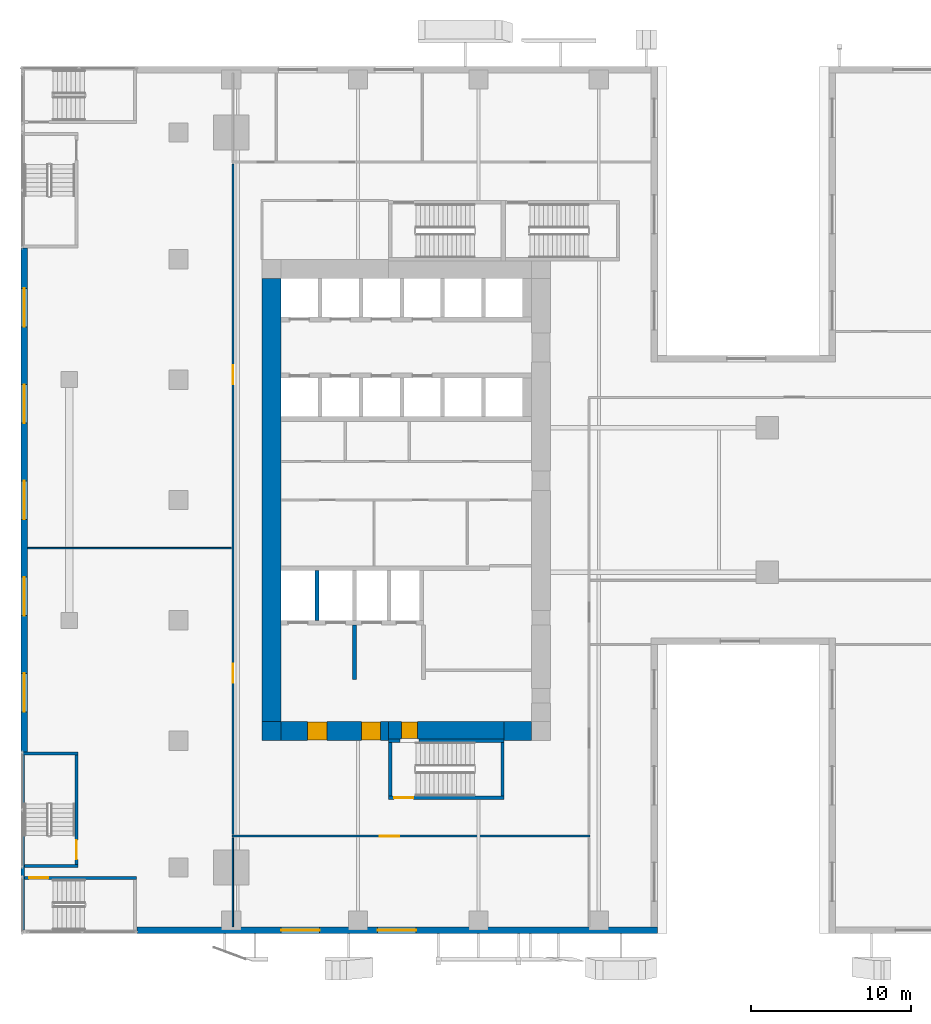
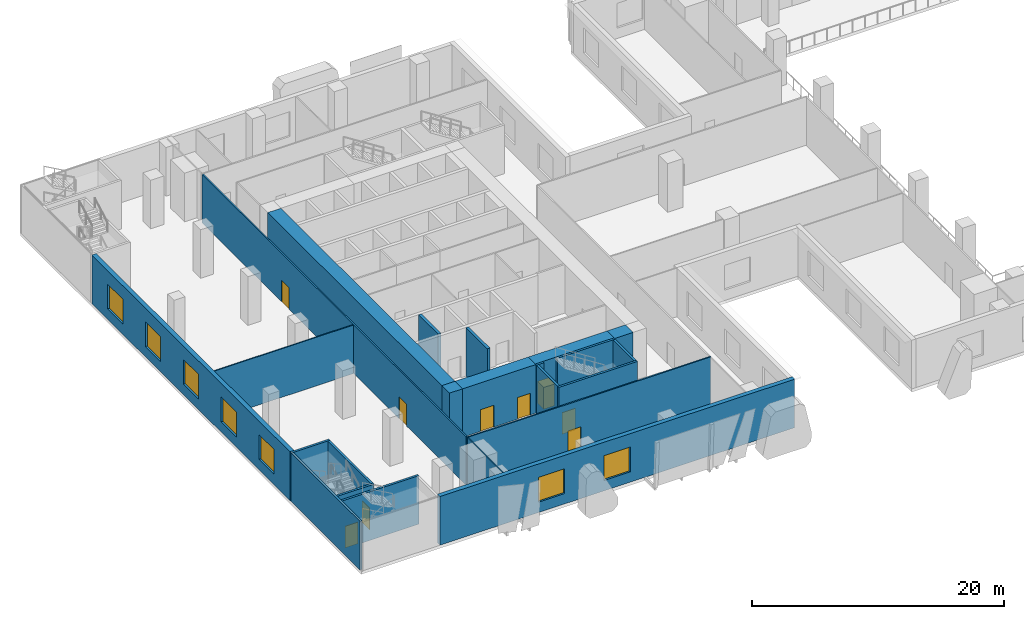
# One storey, part 10 of 23: 23 walls, 9 doors, 7 windows, 16 openings.
"""IFC4 building model written with IfcOpenShell, lengths in metres."""

from ifc_helpers import new_model, si_unit, direction, frame, frame_2d, origin, place, context, subcontext, project, spatial, rectangle, extrude, source, transform, mapped, material, layer, layer_set, type_object, element, fill, save


model = new_model("IFC4")

# Units and contexts
model_context = context("Model", 3, precision=1e-05, world=origin(), true_north=direction((0.0, 1.0)))
body_context = subcontext(model_context, "Body", "Model", "MODEL_VIEW")
ifc_project = project(units=[si_unit("LENGTHUNIT", "METRE"), si_unit("AREAUNIT", "SQUARE_METRE"), si_unit("VOLUMEUNIT", "CUBIC_METRE"), si_unit("PLANEANGLEUNIT", "RADIAN"), si_unit("MASSUNIT", "GRAM", prefix="KILO")], contexts=[model_context])

# Site, building, storey
site_placement = place(None, origin())
site = spatial("IfcSite", under=ifc_project, at=site_placement, CompositionType="ELEMENT")
building_placement = place(site_placement, origin())
building = spatial("IfcBuilding", under=site, at=building_placement, Name="Khomas Fold Tower", CompositionType="ELEMENT")
storey_placement = place(building_placement, frame((0.0, 0.0, 18.5)))
storey = spatial("IfcBuildingStorey", under=building, at=storey_placement, Name="L03", CompositionType="ELEMENT", Elevation=18.5)

# Wall, openings, doors
ifc_material_1 = material(Name="Concrete C70/85", Category="concrete")
ifc_layer_1 = layer(ifc_material_1, 1.199951171875)
ifc_layer_set_1 = layer_set([ifc_layer_1], Name="Concrete C70/85")
wall_type_1 = type_object("IfcWallType", Name="Core wall 1200", PredefinedType="SHEAR", material=ifc_layer_set_1)
shared_shape_1 = source(origin(), body_context, "Body", "SweptSolid", [
    extrude(rectangle(XDim=6.699951171875, YDim=1.199951171875, at=frame_2d((3.35009765625, 0.0))), origin(), (0.0, 0.0, 1.0), 4.699951171875),
])
wall_1_placement = place(storey_placement, frame((7.199951171875, 12.60009765625, 0.0), z_axis=(0.0, 0.0, 1.0), x_axis=(1.0, 0.0, 0.0)))
wall_1 = element("IfcWall", 1, at=wall_1_placement, inside=storey, type_object=wall_type_1, Name="Core wall CW-L-S-B2", PredefinedType="SHEAR", context=body_context, shape_type="MappedRepresentation", body=[
    mapped(shared_shape_1, transform((0.0, 0.0, 0.0))),
])
shared_shape_2 = source(origin(), body_context, "Body", "SweptSolid", [
    extrude(rectangle(XDim=1.199951171875, YDim=2.10009765625, at=frame_2d((0.60009765625, 1.050048828125))), frame((0.0, 0.60986328125, 0.0), z_axis=(0.0, -1.0, 0.0), x_axis=(1.0, 0.0, 0.0)), (0.0, 0.0, 1.0), 1.219970703125),
])
opening_1_placement = place(wall_1_placement, frame((5.0, 0.0, 0.0)))
opening_1 = element("IfcOpeningElement", 2, at=opening_1_placement, cuts=wall_1, Name="Opening 0009", PredefinedType="OPENING", context=body_context, shape_type="MappedRepresentation", body=[
    mapped(shared_shape_2, transform((0.0, 0.0, 0.0))),
])
opening_2_placement = place(wall_1_placement, frame((1.64990234375, 0.0, 0.0)))
opening_2 = element("IfcOpeningElement", 3, at=opening_2_placement, cuts=wall_1, Name="Opening 0009", PredefinedType="OPENING", context=body_context, shape_type="MappedRepresentation", body=[
    mapped(shared_shape_2, transform((0.0, 0.0, 0.0))),
])
ifc_material_2 = material(Name="Steel door leaf", Category="steel")
door_type_1 = type_object("IfcDoorType", Name="Lobby door 1200x2100 right-hand", OperationType="SINGLE_SWING_RIGHT", PredefinedType="DOOR", material=ifc_material_2)
shared_shape_3 = source(origin(), body_context, "Body", "SweptSolid", [
    extrude(rectangle(XDim=1.199951171875, YDim=2.10009765625, at=frame_2d((0.60009765625, 1.050048828125))), frame((0.0, 0.5498046875, 0.0), z_axis=(0.0, -1.0, 0.0), x_axis=(1.0, 0.0, 0.0)), (0.0, 0.0, 1.0), 1.099853515625),
])
door_1_placement = place(opening_1_placement, origin())
door_1 = element("IfcDoor", 4, at=door_1_placement, inside=storey, type_object=door_type_1, Name="Lobby door", OperationType="SINGLE_SWING_RIGHT", OverallHeight=2.10009765625, OverallWidth=1.199951171875, PredefinedType="DOOR", context=body_context, shape_type="MappedRepresentation", body=[
    mapped(shared_shape_3, transform((0.0, 0.0, 0.0))),
])
fill(opening_1, door_1)
door_2_placement = place(opening_2_placement, origin())
door_2 = element("IfcDoor", 5, at=door_2_placement, inside=storey, type_object=door_type_1, Name="Lobby door", OperationType="SINGLE_SWING_RIGHT", OverallHeight=2.10009765625, OverallWidth=1.199951171875, PredefinedType="DOOR", context=body_context, shape_type="MappedRepresentation", body=[
    mapped(shared_shape_3, transform((0.0, 0.0, 0.0))),
])
fill(opening_2, door_2)

# Wall
ifc_material_3 = material(Name="Concrete C70/85", Category="concrete")
ifc_layer_2 = layer(ifc_material_3, 1.199951171875)
ifc_layer_set_2 = layer_set([ifc_layer_2], Name="Concrete C70/85")
wall_type_2 = type_object("IfcWallType", Name="Core corner wall 1200", PredefinedType="SHEAR", material=ifc_layer_set_2)
shared_shape_4 = source(origin(), body_context, "Body", "SweptSolid", [
    extrude(rectangle(XDim=1.199951171875, YDim=1.199951171875, at=frame_2d((0.60009765625, 0.0))), origin(), (0.0, 0.0, 1.0), 4.699951171875),
])
wall_2_placement = place(storey_placement, frame((6.0, 12.60009765625, 0.0), z_axis=(0.0, 0.0, 1.0), x_axis=(1.0, 0.0, 0.0)))
element("IfcWall", 6, at=wall_2_placement, inside=storey, type_object=wall_type_2, Name="Core wall CW-L-SW-B2", PredefinedType="SHEAR", context=body_context, shape_type="MappedRepresentation", body=[
    mapped(shared_shape_4, transform((0.0, 0.0, 0.0))),
])

# Wall, opening, door
ifc_material_4 = material(Name="Concrete C70/85", Category="concrete")
ifc_layer_3 = layer(ifc_material_4, 1.10009765625)
ifc_layer_set_3 = layer_set([ifc_layer_3], Name="Concrete C70/85")
wall_type_3 = type_object("IfcWallType", Name="Core wall 1100", PredefinedType="SHEAR", material=ifc_layer_set_3)
shared_shape_5 = source(origin(), body_context, "Body", "SweptSolid", [
    extrude(rectangle(XDim=7.2001953125, YDim=1.10009765625, at=frame_2d((3.60009765625, 0.0))), origin(), (0.0, 0.0, 1.0), 4.699951171875),
])
wall_3_placement = place(storey_placement, frame((13.89990234375, 12.64990234375, 0.0), z_axis=(0.0, 0.0, 1.0), x_axis=(1.0, 0.0, 0.0)))
wall_3 = element("IfcWall", 7, at=wall_3_placement, inside=storey, type_object=wall_type_3, Name="Core wall CW-L-S-B2-1", PredefinedType="SHEAR", context=body_context, shape_type="MappedRepresentation", body=[
    mapped(shared_shape_5, transform((0.0, 0.0, 0.0))),
])
shared_shape_6 = source(origin(), body_context, "Body", "SweptSolid", [
    extrude(rectangle(XDim=1.0, YDim=2.10009765625, at=frame_2d((0.5, 1.050048828125))), frame((0.0, 0.56005859375, 0.0), z_axis=(0.0, -1.0, 0.0), x_axis=(1.0, 0.0, 0.0)), (0.0, 0.0, 1.0), 1.1201171875),
])
opening_3_placement = place(wall_3_placement, frame((0.800048828125, 0.0, 0.0)))
opening_3 = element("IfcOpeningElement", 8, at=opening_3_placement, cuts=wall_3, Name="Opening 0010", PredefinedType="OPENING", context=body_context, shape_type="MappedRepresentation", body=[
    mapped(shared_shape_6, transform((0.0, 0.0, 0.0))),
])
ifc_material_5 = material(Name="Steel door leaf", Category="steel")
door_type_2 = type_object("IfcDoorType", Name="Stair door 1000x2100 right-hand", OperationType="SINGLE_SWING_RIGHT", PredefinedType="DOOR", material=ifc_material_5)
shared_shape_7 = source(origin(), body_context, "Body", "SweptSolid", [
    extrude(rectangle(XDim=1.0, YDim=2.10009765625, at=frame_2d((0.5, 1.050048828125))), frame((0.0, 0.5, 0.0), z_axis=(0.0, -1.0, 0.0), x_axis=(1.0, 0.0, 0.0)), (0.0, 0.0, 1.0), 1.0),
])
door_3_placement = place(opening_3_placement, origin())
door_3 = element("IfcDoor", 9, at=door_3_placement, inside=storey, type_object=door_type_2, Name="Stair door", OperationType="SINGLE_SWING_RIGHT", OverallHeight=2.10009765625, OverallWidth=1.0, PredefinedType="DOOR", context=body_context, shape_type="MappedRepresentation", body=[
    mapped(shared_shape_7, transform((0.0, 0.0, 0.0))),
])
fill(opening_3, door_3)

# Walls
shared_shape_8 = source(origin(), body_context, "Body", "SweptSolid", [
    extrude(rectangle(XDim=1.699951171875, YDim=1.199951171875, at=frame_2d((0.85009765625, 0.0))), origin(), (0.0, 0.0, 1.0), 4.699951171875),
])
wall_4_placement = place(storey_placement, frame((21.10009765625, 12.60009765625, 0.0), z_axis=(0.0, 0.0, 1.0), x_axis=(1.0, 0.0, 0.0)))
element("IfcWall", 10, at=wall_4_placement, inside=storey, type_object=wall_type_1, Name="Core wall CW-L-S-B2-2", PredefinedType="SHEAR", context=body_context, shape_type="MappedRepresentation", body=[
    mapped(shared_shape_8, transform((0.0, 0.0, 0.0))),
])
shared_shape_9 = source(origin(), body_context, "Body", "SweptSolid", [
    extrude(rectangle(XDim=27.60009765625, YDim=1.199951171875, at=frame_2d((13.800048828125, 0.0))), origin(), (0.0, 0.0, 1.0), 4.699951171875),
])
wall_5_placement = place(storey_placement, frame((6.60009765625, 13.199951171875, 0.0), z_axis=(0.0, 0.0, 1.0), x_axis=(0.0, 1.0, 0.0)))
element("IfcWall", 11, at=wall_5_placement, inside=storey, type_object=wall_type_1, Name="Core wall CW-L-W-B2", PredefinedType="SHEAR", context=body_context, shape_type="MappedRepresentation", body=[
    mapped(shared_shape_9, transform((0.0, 0.0, 0.0))),
])

# Wall, opening, door
ifc_material_6 = material(Name="Concrete C30/37", Category="concrete")
ifc_layer_4 = layer(ifc_material_6, 0.199951171875)
ifc_layer_set_4 = layer_set([ifc_layer_4], Name="Concrete C30/37")
wall_type_4 = type_object("IfcWallType", Name="Stair wall PW5 200", PredefinedType="PARTITIONING", material=ifc_layer_set_4)
shared_shape_10 = source(origin(), body_context, "Body", "SweptSolid", [
    extrude(rectangle(XDim=7.0, YDim=0.199951171875, at=frame_2d((3.5, 0.0))), origin(), (0.0, 0.0, 1.0), 4.699951171875),
])
wall_6_placement = place(storey_placement, frame((-8.800048828125, 3.449951171875, 0.0), z_axis=(0.0, 0.0, 1.0), x_axis=(1.0, 0.0, 0.0)))
wall_6 = element("IfcWall", 12, at=wall_6_placement, inside=storey, type_object=wall_type_4, Name="Stair wall", PredefinedType="PARTITIONING", context=body_context, shape_type="MappedRepresentation", body=[
    mapped(shared_shape_10, transform((0.0, 0.0, 0.0))),
])
shared_shape_11 = source(origin(), body_context, "Body", "SweptSolid", [
    extrude(rectangle(XDim=1.199951171875, YDim=2.10009765625, at=frame_2d((0.60009765625, 1.050048828125))), frame((0.0, 0.10986328125, 0.0), z_axis=(0.0, -1.0, 0.0), x_axis=(1.0, 0.0, 0.0)), (0.0, 0.0, 1.0), 0.219970703125),
])
opening_4_placement = place(wall_6_placement, frame((0.300048828125, 0.0, 0.0)))
opening_4 = element("IfcOpeningElement", 13, at=opening_4_placement, cuts=wall_6, Name="Opening 0017", PredefinedType="OPENING", context=body_context, shape_type="MappedRepresentation", body=[
    mapped(shared_shape_11, transform((0.0, 0.0, 0.0))),
])
ifc_material_7 = material(Name="Steel door leaf", Category="steel")
door_type_3 = type_object("IfcDoorType", Name="Stair door 1200x2100 left-hand", OperationType="SINGLE_SWING_LEFT", PredefinedType="DOOR", material=ifc_material_7)
shared_shape_12 = source(origin(), body_context, "Body", "SweptSolid", [
    extrude(rectangle(XDim=1.199951171875, YDim=2.10009765625, at=frame_2d((0.60009765625, 1.050048828125))), frame((0.0, 0.02490234375, 0.0), z_axis=(0.0, -1.0, 0.0), x_axis=(1.0, 0.0, 0.0)), (0.0, 0.0, 1.0), 0.050048828125),
])
door_4_placement = place(opening_4_placement, origin())
door_4 = element("IfcDoor", 14, at=door_4_placement, inside=storey, type_object=door_type_3, Name="Stair door", OperationType="SINGLE_SWING_LEFT", OverallHeight=2.10009765625, OverallWidth=1.199951171875, PredefinedType="DOOR", context=body_context, shape_type="MappedRepresentation", body=[
    mapped(shared_shape_12, transform((0.0, 0.0, 0.0))),
])
fill(opening_4, door_4)

# Walls
ifc_material_8 = material(Name="Concrete C50/60", Category="concrete")
ifc_layer_5 = layer(ifc_material_8, 0.199951171875)
ifc_layer_set_5 = layer_set([ifc_layer_5], Name="Concrete C50/60")
wall_type_5 = type_object("IfcWallType", Name="Stair wall 200", PredefinedType="SHEAR", material=ifc_layer_set_5)
shared_shape_13 = source(origin(), body_context, "Body", "SweptSolid", [
    extrude(rectangle(XDim=0.7001953125, YDim=0.199951171875, at=frame_2d((0.35009765625, 0.0))), origin(), (0.0, 0.0, 1.0), 4.699951171875),
])
wall_7_placement = place(storey_placement, frame((13.89990234375, 12.0, 0.0), z_axis=(0.0, 0.0, 1.0), x_axis=(1.0, 0.0, 0.0)))
element("IfcWall", 15, at=wall_7_placement, inside=storey, type_object=wall_type_5, Name="Stair wall SW-ST2-N", PredefinedType="SHEAR", context=body_context, shape_type="MappedRepresentation", body=[
    mapped(shared_shape_13, transform((0.0, 0.0, 0.0))),
])
shared_shape_14 = source(origin(), body_context, "Body", "SweptSolid", [
    extrude(rectangle(XDim=5.300048828125, YDim=0.199951171875, at=frame_2d((2.64990234375, 0.0))), origin(), (0.0, 0.0, 1.0), 4.699951171875),
])
wall_8_placement = place(storey_placement, frame((15.800048828125, 12.0, 0.0), z_axis=(0.0, 0.0, 1.0), x_axis=(1.0, 0.0, 0.0)))
element("IfcWall", 16, at=wall_8_placement, inside=storey, type_object=wall_type_5, Name="Stair wall SW-ST2-NB", PredefinedType="SHEAR", context=body_context, shape_type="MappedRepresentation", body=[
    mapped(shared_shape_14, transform((0.0, 0.0, 0.0))),
])

# Wall, opening, door
shared_shape_15 = source(origin(), body_context, "Body", "SweptSolid", [
    extrude(rectangle(XDim=7.2001953125, YDim=0.199951171875, at=frame_2d((3.60009765625, 0.0))), origin(), (0.0, 0.0, 1.0), 4.699951171875),
])
wall_9_placement = place(storey_placement, frame((13.89990234375, 8.449951171875, 0.0), z_axis=(0.0, 0.0, 1.0), x_axis=(1.0, 0.0, 0.0)))
wall_9 = element("IfcWall", 17, at=wall_9_placement, inside=storey, type_object=wall_type_5, Name="Stair wall SW-ST2-S", PredefinedType="SHEAR", context=body_context, shape_type="MappedRepresentation", body=[
    mapped(shared_shape_15, transform((0.0, 0.0, 0.0))),
])
opening_5_placement = place(wall_9_placement, frame((0.35009765625, 0.0, 0.0)))
opening_5 = element("IfcOpeningElement", 18, at=opening_5_placement, cuts=wall_9, Name="Opening SD-ST2", PredefinedType="OPENING", context=body_context, shape_type="MappedRepresentation", body=[
    mapped(shared_shape_11, transform((0.0, 0.0, 0.0))),
])
ifc_material_9 = material(Name="Steel door leaf", Category="steel")
door_type_4 = type_object("IfcDoorType", Name="Stair door 1200x2100 right-hand", OperationType="SINGLE_SWING_RIGHT", PredefinedType="DOOR", material=ifc_material_9)
door_5_placement = place(opening_5_placement, origin())
door_5 = element("IfcDoor", 19, at=door_5_placement, inside=storey, type_object=door_type_4, Name="Stair door", OperationType="SINGLE_SWING_RIGHT", OverallHeight=2.10009765625, OverallWidth=1.199951171875, PredefinedType="DOOR", context=body_context, shape_type="MappedRepresentation", body=[
    mapped(shared_shape_12, transform((0.0, 0.0, 0.0))),
])
fill(opening_5, door_5)

# Walls
shared_shape_16 = source(origin(), body_context, "Body", "SweptSolid", [
    extrude(rectangle(XDim=3.349853515625, YDim=0.199951171875, at=frame_2d((1.6748046875, 0.0))), origin(), (0.0, 0.0, 1.0), 4.699951171875),
])
for number, where, z_axis, x_axis, name in (
    (20, (21.0, 8.550048828125, 0.0), (0.0, 0.0, 1.0), (0.0, 1.0, 0.0), "Stair wall SW-ST2-E"),
    (21, (14.0, 8.550048828125, 0.0), (0.0, 0.0, 1.0), (0.0, 1.0, 0.0), "Stair wall SW-ST2-W"),
):
    element("IfcWall", number, at=place(storey_placement, frame(where, z_axis=z_axis, x_axis=x_axis)), inside=storey, type_object=wall_type_5, Name=name, PredefinedType="SHEAR", context=body_context, shape_type="MappedRepresentation", body=[
        mapped(shared_shape_16, transform((0.0, 0.0, 0.0))),
    ])
ifc_material_10 = material(Name="Concrete C50/60", Category="concrete")
ifc_layer_6 = layer(ifc_material_10, 0.25)
ifc_layer_set_6 = layer_set([ifc_layer_6], Name="Concrete C50/60")
wall_type_6 = type_object("IfcWallType", Name="Shaft wall 250", PredefinedType="STANDARD", material=ifc_layer_set_6)
shared_shape_17 = source(origin(), body_context, "Body", "SweptSolid", [
    extrude(rectangle(XDim=3.10009765625, YDim=0.25, at=frame_2d((1.550048828125, 0.0))), origin(), (0.0, 0.0, 1.0), 4.699951171875),
])
wall_10_placement = place(storey_placement, frame((9.425048828125, 19.5, 0.0), z_axis=(0.0, 0.0, 1.0), x_axis=(0.0, 1.0, 0.0)))
element("IfcWall", 22, at=wall_10_placement, inside=storey, type_object=wall_type_6, Name="Core wall SW-FS-P1", PredefinedType="STANDARD", context=body_context, shape_type="MappedRepresentation", body=[
    mapped(shared_shape_17, transform((0.0, 0.0, 0.0))),
])
ifc_material_11 = material(Name="Concrete C50/60", Category="concrete")
ifc_layer_7 = layer(ifc_material_11, 0.25)
ifc_layer_set_7 = layer_set([ifc_layer_7], Name="Concrete C50/60")
wall_type_7 = type_object("IfcWallType", Name="Lobby wall 250", PredefinedType="STANDARD", material=ifc_layer_set_7)
shared_shape_18 = source(origin(), body_context, "Body", "SweptSolid", [
    extrude(rectangle(XDim=3.39990234375, YDim=0.25, at=frame_2d((1.699951171875, 0.0))), origin(), (0.0, 0.0, 1.0), 4.699951171875),
])
wall_11_placement = place(storey_placement, frame((11.77490234375, 15.800048828125, 0.0), z_axis=(0.0, 0.0, 1.0), x_axis=(0.0, 1.0, 0.0)))
element("IfcWall", 23, at=wall_11_placement, inside=storey, type_object=wall_type_7, Name="Core wall SW-FS-SEP", PredefinedType="STANDARD", context=body_context, shape_type="MappedRepresentation", body=[
    mapped(shared_shape_18, transform((0.0, 0.0, 0.0))),
])

# Wall, openings, windows
ifc_material_12 = material(Name="Concrete C40/50", Category="concrete")
ifc_layer_8 = layer(ifc_material_12, 0.39990234375)
ifc_layer_set_8 = layer_set([ifc_layer_8], Name="Concrete C40/50")
wall_type_8 = type_object("IfcWallType", Name="Stone-clad concrete wall 400", PredefinedType="SOLIDWALL", material=ifc_layer_set_8)
shared_shape_19 = source(origin(), body_context, "Body", "SweptSolid", [
    extrude(rectangle(XDim=31.3798828125, YDim=0.39990234375, at=frame_2d((15.68994140625, 0.0))), origin(), (0.0, 0.0, 1.0), 4.699951171875),
])
wall_12_placement = place(storey_placement, frame((-8.800048828125, 42.68994140625, 0.0), z_axis=(0.0, 0.0, 1.0), x_axis=(0.0, -1.0, 0.0)))
wall_12 = element("IfcWall", 24, at=wall_12_placement, inside=storey, type_object=wall_type_8, Name="Podium wall", PredefinedType="SOLIDWALL", context=body_context, shape_type="MappedRepresentation", body=[
    mapped(shared_shape_19, transform((0.0, 0.0, 0.0))),
])
shared_shape_20 = source(origin(), body_context, "Body", "SweptSolid", [
    extrude(rectangle(XDim=2.39990234375, YDim=2.39990234375, at=frame_2d((1.199951171875, 1.199951171875))), frame((0.0, 0.2099609375, 0.0), z_axis=(0.0, -1.0, 0.0), x_axis=(1.0, 0.0, 0.0)), (0.0, 0.0, 1.0), 0.419921875),
])
opening_6_placement = place(wall_12_placement, frame((2.5, 0.0, 1.0)))
opening_6 = element("IfcOpeningElement", 25, at=opening_6_placement, cuts=wall_12, Name="Opening PD-WN", PredefinedType="OPENING", context=body_context, shape_type="MappedRepresentation", body=[
    mapped(shared_shape_20, transform((0.0, 0.0, 0.0))),
])
opening_7_placement = place(wall_12_placement, frame((8.5, 0.0, 1.0)))
opening_7 = element("IfcOpeningElement", 26, at=opening_7_placement, cuts=wall_12, Name="Opening PD-WN", PredefinedType="OPENING", context=body_context, shape_type="MappedRepresentation", body=[
    mapped(shared_shape_20, transform((0.0, 0.0, 0.0))),
])
opening_8_placement = place(wall_12_placement, frame((14.5, 0.0, 1.0)))
opening_8 = element("IfcOpeningElement", 27, at=opening_8_placement, cuts=wall_12, Name="Opening PD-WN", PredefinedType="OPENING", context=body_context, shape_type="MappedRepresentation", body=[
    mapped(shared_shape_20, transform((0.0, 0.0, 0.0))),
])
opening_9_placement = place(wall_12_placement, frame((20.5, 0.0, 1.0)))
opening_9 = element("IfcOpeningElement", 28, at=opening_9_placement, cuts=wall_12, Name="Opening PD-WN", PredefinedType="OPENING", context=body_context, shape_type="MappedRepresentation", body=[
    mapped(shared_shape_20, transform((0.0, 0.0, 0.0))),
])
opening_10_placement = place(wall_12_placement, frame((26.5, 0.0, 1.0)))
opening_10 = element("IfcOpeningElement", 29, at=opening_10_placement, cuts=wall_12, Name="Opening PD-WN", PredefinedType="OPENING", context=body_context, shape_type="MappedRepresentation", body=[
    mapped(shared_shape_20, transform((0.0, 0.0, 0.0))),
])
ifc_material_13 = material(Name="Aluminium framed double glazing", Category="aluminium")
window_type = type_object("IfcWindowType", Name="Podium window 2400 x 2400", PartitioningType="SINGLE_PANEL", PredefinedType="WINDOW", material=ifc_material_13)
shared_shape_21 = source(origin(), body_context, "Body", "SweptSolid", [
    extrude(rectangle(XDim=2.39990234375, YDim=2.39990234375, at=frame_2d((1.199951171875, 1.199951171875))), frame((0.0, 0.030029296875, 0.0), z_axis=(0.0, -1.0, 0.0), x_axis=(1.0, 0.0, 0.0)), (0.0, 0.0, 1.0), 0.06005859375),
])
window_1_placement = place(opening_6_placement, origin())
window_1 = element("IfcWindow", 30, at=window_1_placement, inside=storey, type_object=window_type, Name="Podium window", OverallHeight=2.39990234375, OverallWidth=2.39990234375, PartitioningType="SINGLE_PANEL", PredefinedType="WINDOW", context=body_context, shape_type="MappedRepresentation", body=[
    mapped(shared_shape_21, transform((0.0, 0.0, 0.0))),
])
fill(opening_6, window_1)
window_2_placement = place(opening_7_placement, origin())
window_2 = element("IfcWindow", 31, at=window_2_placement, inside=storey, type_object=window_type, Name="Podium window", OverallHeight=2.39990234375, OverallWidth=2.39990234375, PartitioningType="SINGLE_PANEL", PredefinedType="WINDOW", context=body_context, shape_type="MappedRepresentation", body=[
    mapped(shared_shape_21, transform((0.0, 0.0, 0.0))),
])
fill(opening_7, window_2)
window_3_placement = place(opening_8_placement, origin())
window_3 = element("IfcWindow", 32, at=window_3_placement, inside=storey, type_object=window_type, Name="Podium window", OverallHeight=2.39990234375, OverallWidth=2.39990234375, PartitioningType="SINGLE_PANEL", PredefinedType="WINDOW", context=body_context, shape_type="MappedRepresentation", body=[
    mapped(shared_shape_21, transform((0.0, 0.0, 0.0))),
])
fill(opening_8, window_3)
window_4_placement = place(opening_9_placement, origin())
window_4 = element("IfcWindow", 33, at=window_4_placement, inside=storey, type_object=window_type, Name="Podium window", OverallHeight=2.39990234375, OverallWidth=2.39990234375, PartitioningType="SINGLE_PANEL", PredefinedType="WINDOW", context=body_context, shape_type="MappedRepresentation", body=[
    mapped(shared_shape_21, transform((0.0, 0.0, 0.0))),
])
fill(opening_9, window_4)
window_5_placement = place(opening_10_placement, origin())
window_5 = element("IfcWindow", 34, at=window_5_placement, inside=storey, type_object=window_type, Name="Podium window", OverallHeight=2.39990234375, OverallWidth=2.39990234375, PartitioningType="SINGLE_PANEL", PredefinedType="WINDOW", context=body_context, shape_type="MappedRepresentation", body=[
    mapped(shared_shape_21, transform((0.0, 0.0, 0.0))),
])
fill(opening_10, window_5)

shared_shape_22 = source(origin(), body_context, "Body", "SweptSolid", [
    extrude(rectangle(XDim=32.43994140625, YDim=0.39990234375, at=frame_2d((16.219970703125, 0.0))), origin(), (0.0, 0.0, 1.0), 4.699951171875),
])
wall_13_placement = place(storey_placement, frame((-1.7900390625, 0.199951171875, 0.0), z_axis=(0.0, 0.0, 1.0), x_axis=(1.0, 0.0, 0.0)))
wall_13 = element("IfcWall", 35, at=wall_13_placement, inside=storey, type_object=wall_type_8, Name="Podium wall", PredefinedType="SOLIDWALL", context=body_context, shape_type="MappedRepresentation", body=[
    mapped(shared_shape_22, transform((0.0, 0.0, 0.0))),
])
opening_11_placement = place(wall_13_placement, frame((9.0, 0.0, 1.0)))
opening_11 = element("IfcOpeningElement", 36, at=opening_11_placement, cuts=wall_13, Name="Opening PD-WN", PredefinedType="OPENING", context=body_context, shape_type="MappedRepresentation", body=[
    mapped(shared_shape_20, transform((0.0, 0.0, 0.0))),
])
opening_12_placement = place(wall_13_placement, frame((15.0, 0.0, 1.0)))
opening_12 = element("IfcOpeningElement", 37, at=opening_12_placement, cuts=wall_13, Name="Opening PD-WN", PredefinedType="OPENING", context=body_context, shape_type="MappedRepresentation", body=[
    mapped(shared_shape_20, transform((0.0, 0.0, 0.0))),
])
window_6_placement = place(opening_11_placement, origin())
window_6 = element("IfcWindow", 38, at=window_6_placement, inside=storey, type_object=window_type, Name="Podium window", OverallHeight=2.39990234375, OverallWidth=2.39990234375, PartitioningType="SINGLE_PANEL", PredefinedType="WINDOW", context=body_context, shape_type="MappedRepresentation", body=[
    mapped(shared_shape_21, transform((0.0, 0.0, 0.0))),
])
fill(opening_11, window_6)
window_7_placement = place(opening_12_placement, origin())
window_7 = element("IfcWindow", 39, at=window_7_placement, inside=storey, type_object=window_type, Name="Podium window", OverallHeight=2.39990234375, OverallWidth=2.39990234375, PartitioningType="SINGLE_PANEL", PredefinedType="WINDOW", context=body_context, shape_type="MappedRepresentation", body=[
    mapped(shared_shape_21, transform((0.0, 0.0, 0.0))),
])
fill(opening_12, window_7)

# Walls
shared_shape_23 = source(origin(), body_context, "Body", "SweptSolid", [
    extrude(rectangle(XDim=10.900146484375, YDim=0.199951171875, at=frame_2d((5.4501953125, 0.0))), origin(), (0.0, 0.0, 1.0), 4.699951171875),
])
wall_14_placement = place(storey_placement, frame((-8.89990234375, 0.199951171875, 0.0), z_axis=(0.0, 0.0, 1.0), x_axis=(0.0, 1.0, 0.0)))
element("IfcWall", 40, at=wall_14_placement, inside=storey, type_object=wall_type_4, Name="Stair wall", PredefinedType="PARTITIONING", context=body_context, shape_type="MappedRepresentation", body=[
    mapped(shared_shape_23, transform((0.0, 0.0, 0.0))),
])
shared_shape_24 = source(origin(), body_context, "Body", "SweptSolid", [
    extrude(rectangle(XDim=3.35009765625, YDim=0.199951171875, at=frame_2d((1.675048828125, 0.0))), origin(), (0.0, 0.0, 1.0), 4.699951171875),
])
wall_15_placement = place(storey_placement, frame((-8.800048828125, 4.199951171875, 0.0), z_axis=(0.0, 0.0, 1.0), x_axis=(1.0, 0.0, 0.0)))
element("IfcWall", 41, at=wall_15_placement, inside=storey, type_object=wall_type_4, Name="Stair wall", PredefinedType="PARTITIONING", context=body_context, shape_type="MappedRepresentation", body=[
    mapped(shared_shape_24, transform((0.0, 0.0, 0.0))),
])
shared_shape_25 = source(origin(), body_context, "Body", "SweptSolid", [
    extrude(rectangle(XDim=3.550048828125, YDim=0.199951171875, at=frame_2d((1.77490234375, 0.0))), origin(), (0.0, 0.0, 1.0), 4.699951171875),
])
wall_16_placement = place(storey_placement, frame((-9.0, 11.199951171875, 0.0), z_axis=(0.0, 0.0, 1.0), x_axis=(1.0, 0.0, 0.0)))
element("IfcWall", 42, at=wall_16_placement, inside=storey, type_object=wall_type_4, Name="Stair wall", PredefinedType="PARTITIONING", context=body_context, shape_type="MappedRepresentation", body=[
    mapped(shared_shape_25, transform((0.0, 0.0, 0.0))),
])

# Wall, opening, door
shared_shape_26 = source(origin(), body_context, "Body", "SweptSolid", [
    extrude(rectangle(XDim=6.800048828125, YDim=0.199951171875, at=frame_2d((3.39990234375, 0.0))), origin(), (0.0, 0.0, 1.0), 4.699951171875),
])
wall_17_placement = place(storey_placement, frame((-5.550048828125, 4.300048828125, 0.0), z_axis=(0.0, 0.0, 1.0), x_axis=(0.0, 1.0, 0.0)))
wall_17 = element("IfcWall", 43, at=wall_17_placement, inside=storey, type_object=wall_type_4, Name="Stair wall", PredefinedType="PARTITIONING", context=body_context, shape_type="MappedRepresentation", body=[
    mapped(shared_shape_26, transform((0.0, 0.0, 0.0))),
])
opening_13_placement = place(wall_17_placement, frame((0.300048828125, 0.0, 0.0)))
opening_13 = element("IfcOpeningElement", 44, at=opening_13_placement, cuts=wall_17, Name="Opening 0017", PredefinedType="OPENING", context=body_context, shape_type="MappedRepresentation", body=[
    mapped(shared_shape_11, transform((0.0, 0.0, 0.0))),
])
door_6_placement = place(opening_13_placement, origin())
door_6 = element("IfcDoor", 45, at=door_6_placement, inside=storey, type_object=door_type_3, Name="Stair door", OperationType="SINGLE_SWING_LEFT", OverallHeight=2.10009765625, OverallWidth=1.199951171875, PredefinedType="DOOR", context=body_context, shape_type="MappedRepresentation", body=[
    mapped(shared_shape_12, transform((0.0, 0.0, 0.0))),
])
fill(opening_13, door_6)

# Wall
ifc_material_14 = material(Name="Plasterboard partition")
ifc_layer_9 = layer(ifc_material_14, 0.10009765625)
ifc_layer_set_9 = layer_set([ifc_layer_9], Name="Plasterboard partition")
wall_type_9 = type_object("IfcWallType", Name="Partition PW1 100", PredefinedType="PARTITIONING", material=ifc_layer_set_9)
shared_shape_27 = source(origin(), body_context, "Body", "SweptSolid", [
    extrude(rectangle(XDim=5.550048828125, YDim=0.10009765625, at=frame_2d((2.77490234375, 0.0))), origin(), (0.0, 0.0, 1.0), 4.699951171875),
])
wall_18_placement = place(storey_placement, frame((4.199951171875, 0.39990234375, 0.0), z_axis=(0.0, 0.0, 1.0), x_axis=(0.0, 1.0, 0.0)))
element("IfcWall", 46, at=wall_18_placement, inside=storey, type_object=wall_type_9, Name="Partition", PredefinedType="PARTITIONING", context=body_context, shape_type="MappedRepresentation", body=[
    mapped(shared_shape_27, transform((0.0, 0.0, 0.0))),
])

# Wall, opening, door
ifc_material_15 = material(Name="Plasterboard partition")
ifc_layer_10 = layer(ifc_material_15, 0.125)
ifc_layer_set_10 = layer_set([ifc_layer_10], Name="Plasterboard partition")
wall_type_10 = type_object("IfcWallType", Name="Partition PW2 125", PredefinedType="PARTITIONING", material=ifc_layer_set_10)
shared_shape_28 = source(origin(), body_context, "Body", "SweptSolid", [
    extrude(rectangle(XDim=22.300048828125, YDim=0.125, at=frame_2d((11.14990234375, 0.0))), origin(), (0.0, 0.0, 1.0), 4.699951171875),
])
wall_19_placement = place(storey_placement, frame((4.14990234375, 6.050048828125, 0.0), z_axis=(0.0, 0.0, 1.0), x_axis=(1.0, 0.0, 0.0)))
wall_19 = element("IfcWall", 47, at=wall_19_placement, inside=storey, type_object=wall_type_10, Name="Partition", PredefinedType="PARTITIONING", context=body_context, shape_type="MappedRepresentation", body=[
    mapped(shared_shape_28, transform((0.0, 0.0, 0.0))),
])
shared_shape_29 = source(origin(), body_context, "Body", "SweptSolid", [
    extrude(rectangle(XDim=1.199951171875, YDim=2.10009765625, at=frame_2d((0.60009765625, 1.050048828125))), frame((0.0, 0.072509765625, 0.0), z_axis=(0.0, -1.0, 0.0), x_axis=(1.0, 0.0, 0.0)), (0.0, 0.0, 1.0), 0.14501953125),
])
opening_14_placement = place(wall_19_placement, frame((9.199951171875, 0.0, 0.0)))
opening_14 = element("IfcOpeningElement", 48, at=opening_14_placement, cuts=wall_19, Name="Opening 0013", PredefinedType="OPENING", context=body_context, shape_type="MappedRepresentation", body=[
    mapped(shared_shape_29, transform((0.0, 0.0, 0.0))),
])
ifc_material_16 = material(Name="Timber door leaf", Category="wood")
door_type_5 = type_object("IfcDoorType", Name="Door 1200x2100 left-hand", OperationType="SINGLE_SWING_LEFT", PredefinedType="DOOR", material=ifc_material_16)
door_7_placement = place(opening_14_placement, origin())
door_7 = element("IfcDoor", 49, at=door_7_placement, inside=storey, type_object=door_type_5, Name="Door", OperationType="SINGLE_SWING_LEFT", OverallHeight=2.10009765625, OverallWidth=1.199951171875, PredefinedType="DOOR", context=body_context, shape_type="MappedRepresentation", body=[
    mapped(shared_shape_12, transform((0.0, 0.0, 0.0))),
])
fill(opening_14, door_7)

# Wall, openings, doors
shared_shape_30 = source(origin(), body_context, "Body", "SweptSolid", [
    extrude(rectangle(XDim=41.800048828125, YDim=0.125, at=frame_2d((20.89990234375, 0.0))), origin(), (0.0, 0.0, 1.0), 4.699951171875),
])
wall_20_placement = place(storey_placement, frame((4.199951171875, 6.14990234375, 0.0), z_axis=(0.0, 0.0, 1.0), x_axis=(0.0, 1.0, 0.0)))
wall_20 = element("IfcWall", 50, at=wall_20_placement, inside=storey, type_object=wall_type_10, Name="Partition", PredefinedType="PARTITIONING", context=body_context, shape_type="MappedRepresentation", body=[
    mapped(shared_shape_30, transform((0.0, 0.0, 0.0))),
])
opening_15_placement = place(wall_20_placement, frame((9.449951171875, 0.0, 0.0)))
opening_15 = element("IfcOpeningElement", 51, at=opening_15_placement, cuts=wall_20, Name="Opening 0013", PredefinedType="OPENING", context=body_context, shape_type="MappedRepresentation", body=[
    mapped(shared_shape_29, transform((0.0, 0.0, 0.0))),
])
opening_16_placement = place(wall_20_placement, frame((28.050048828125, 0.0, 0.0)))
opening_16 = element("IfcOpeningElement", 52, at=opening_16_placement, cuts=wall_20, Name="Opening 0001", PredefinedType="OPENING", context=body_context, shape_type="MappedRepresentation", body=[
    mapped(shared_shape_29, transform((0.0, 0.0, 0.0))),
])
door_8_placement = place(opening_15_placement, origin())
door_8 = element("IfcDoor", 53, at=door_8_placement, inside=storey, type_object=door_type_5, Name="Door", OperationType="SINGLE_SWING_LEFT", OverallHeight=2.10009765625, OverallWidth=1.199951171875, PredefinedType="DOOR", context=body_context, shape_type="MappedRepresentation", body=[
    mapped(shared_shape_12, transform((0.0, 0.0, 0.0))),
])
fill(opening_15, door_8)
ifc_material_17 = material(Name="Timber door leaf", Category="wood")
door_type_6 = type_object("IfcDoorType", Name="Door 1200x2100 right-hand", OperationType="SINGLE_SWING_RIGHT", PredefinedType="DOOR", material=ifc_material_17)
door_9_placement = place(opening_16_placement, origin())
door_9 = element("IfcDoor", 54, at=door_9_placement, inside=storey, type_object=door_type_6, Name="Door", OperationType="SINGLE_SWING_RIGHT", OverallHeight=2.10009765625, OverallWidth=1.199951171875, PredefinedType="DOOR", context=body_context, shape_type="MappedRepresentation", body=[
    mapped(shared_shape_12, transform((0.0, 0.0, 0.0))),
])
fill(opening_16, door_9)

# Wall
shared_shape_31 = source(origin(), body_context, "Body", "SweptSolid", [
    extrude(rectangle(XDim=12.7001953125, YDim=0.10009765625, at=frame_2d((6.35009765625, 0.0))), origin(), (0.0, 0.0, 1.0), 4.699951171875),
])
wall_21_placement = place(storey_placement, frame((-8.60009765625, 24.0, 0.0), z_axis=(0.0, 0.0, 1.0), x_axis=(1.0, 0.0, 0.0)))
element("IfcWall", 55, at=wall_21_placement, inside=storey, type_object=wall_type_9, Name="Partition", PredefinedType="PARTITIONING", context=body_context, shape_type="MappedRepresentation", body=[
    mapped(shared_shape_31, transform((0.0, 0.0, 0.0))),
])

save(model, "model.ifc")
